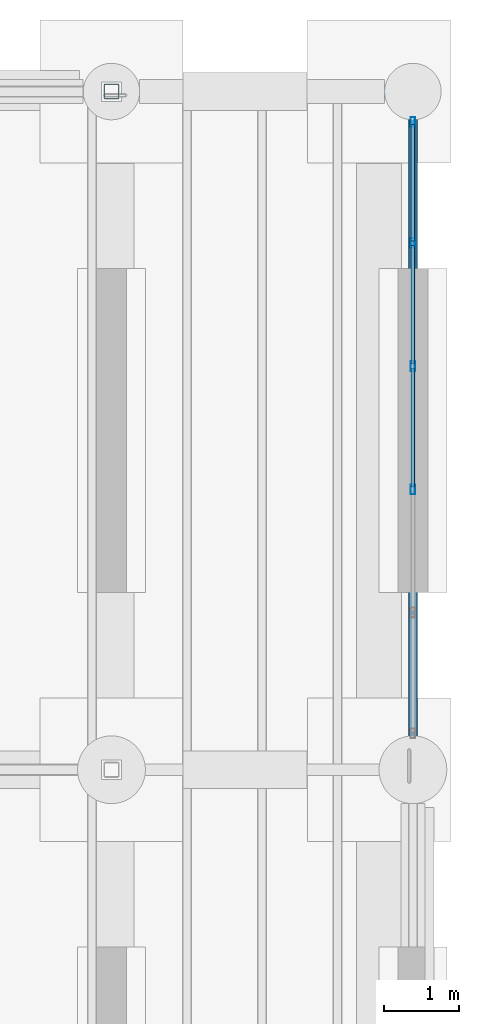
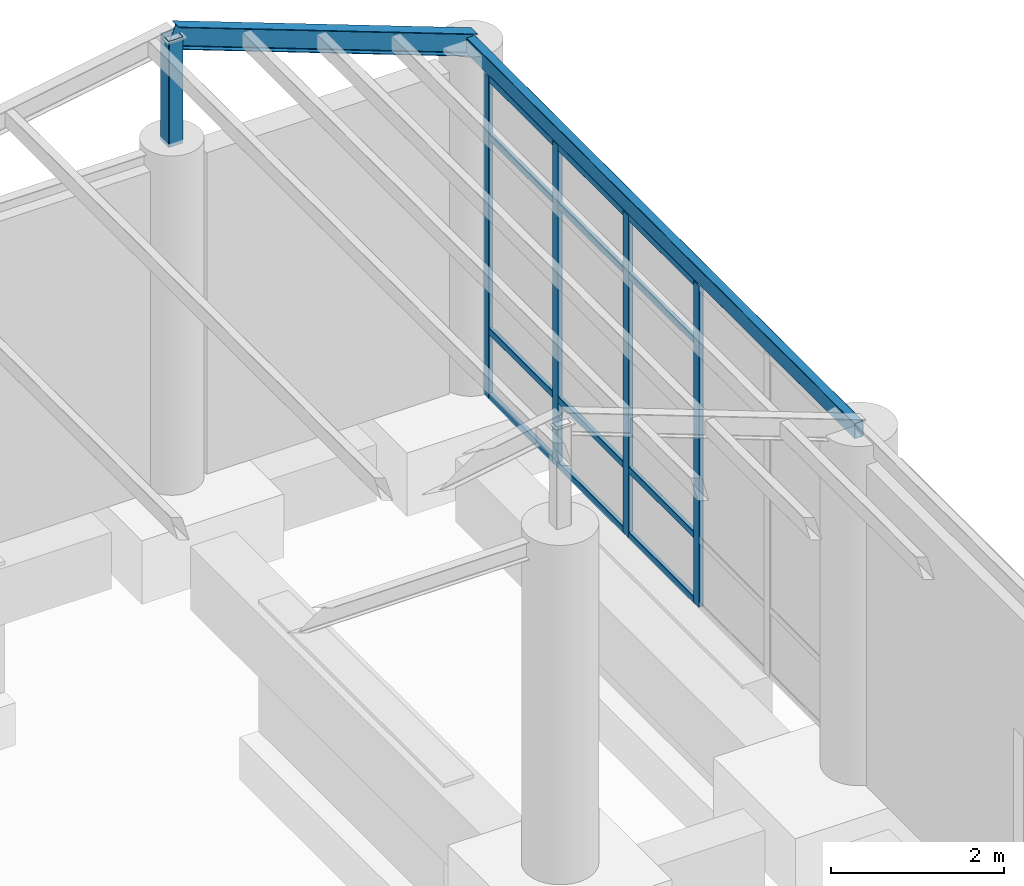
# One storey, part 72 of 111: 19 members, 1 element without a shape of its own.
"""IFC4 building model written with IfcOpenShell, lengths in metres."""

import ifcopenshell
import ifcopenshell.guid

model = None  # the IFC model being written
_history = None  # IfcOwnerHistory: only IFC2X3 demands one
_inside = {}  # id of a spatial element -> (the spatial element, [elements in it])
_under = {}  # id of a project, library or spatial element -> (it, [spatial elements below it])
_declared = {}  # id of a project -> (the project, [libraries it declares])
_typed = {}  # id of a type object -> (the type object, [elements of that type])
_made_of = {}  # id of a material, layer set ... -> (it, [elements and type objects made of it])


def new_model(schema):
    """Start an empty IFC model of exactly this schema.

    Asked for "IFC4X3", IfcOpenShell would pick the latest addendum, in which some entities
    have other attributes; the version numbers below select the first issue.
    IFC2X3 requires an IfcOwnerHistory on every rooted entity: one is made here for all.
    """
    global model, _history
    if schema == "IFC4X3":
        model = ifcopenshell.file(schema_version=(4, 3, 0, 0))
    else:
        model = ifcopenshell.file(schema=schema)
    _inside.clear()
    _under.clear()
    _declared.clear()
    _typed.clear()
    _made_of.clear()
    _history = None
    if model.schema == "IFC2X3":
        org = make("IfcOrganization", Name="unknown")
        user = make(
            "IfcPersonAndOrganization",
            ThePerson=make("IfcPerson", FamilyName="unknown"),
            TheOrganization=org,
        )
        app = make(
            "IfcApplication",
            ApplicationDeveloper=org,
            Version="unknown",
            ApplicationFullName="unknown",
            ApplicationIdentifier="unknown",
        )
        _history = make(
            "IfcOwnerHistory",
            OwningUser=user,
            OwningApplication=app,
            ChangeAction="ADDED",
            CreationDate=0,
        )
    return model


def make(cls, **values):
    """One entity of the class cls with the attributes given. An attribute that is None is left unset."""
    return model.create_entity(
        cls, **{name: value for name, value in values.items() if value is not None}
    )


def rooted(cls, **values):
    """An entity with a GlobalId (a new one), such as an element, a storey or a relation."""
    return make(cls, GlobalId=ifcopenshell.guid.new(), OwnerHistory=_history, **values)


def si_unit(unit_type, name, prefix=None):
    """IfcSIUnit, for example si_unit("LENGTHUNIT", "METRE", prefix="MILLI")."""
    return make("IfcSIUnit", UnitType=unit_type, Prefix=prefix, Name=name)


def assignment(units):
    """IfcUnitAssignment: the units of a project."""
    return None if units is None else make("IfcUnitAssignment", Units=units)


def point(xyz):
    """IfcCartesianPoint."""
    return None if xyz is None else make("IfcCartesianPoint", Coordinates=xyz)


def direction(xyz):
    """IfcDirection."""
    return None if xyz is None else make("IfcDirection", DirectionRatios=xyz)


def frame(location, z_axis=None, x_axis=None):
    """IfcAxis2Placement3D, a coordinate frame: its origin and axes. An axis left out is left unset."""
    return make(
        "IfcAxis2Placement3D",
        Location=point(location),
        Axis=direction(z_axis),
        RefDirection=direction(x_axis),
    )


def frame_2d(location, x_axis=None):
    """IfcAxis2Placement2D, a coordinate frame in the plane: its origin and x axis."""
    return make(
        "IfcAxis2Placement2D", Location=point(location), RefDirection=direction(x_axis)
    )


def origin():
    """The frame at (0, 0, 0) with its axes left unset."""
    return frame((0.0, 0.0, 0.0))


def origin_2d():
    """The frame at (0, 0) in the plane with its x axis left unset."""
    return frame_2d((0.0, 0.0))


def place(relative_to, where):
    """IfcLocalPlacement: puts the frame where relative to a parent placement (None: the world)."""
    return make(
        "IfcLocalPlacement", PlacementRelTo=relative_to, RelativePlacement=where
    )


def context(
    kind, dimensions, precision=None, world=None, true_north=None, identifier=None
):
    """IfcGeometricRepresentationContext, for example the 3D "Model" context."""
    return make(
        "IfcGeometricRepresentationContext",
        ContextIdentifier=identifier,
        ContextType=kind,
        CoordinateSpaceDimension=dimensions,
        Precision=precision,
        WorldCoordinateSystem=world,
        TrueNorth=true_north,
    )


def subcontext(parent, identifier, kind, view, scale=None):
    """IfcGeometricRepresentationSubContext, for example "Body" below "Model"."""
    return make(
        "IfcGeometricRepresentationSubContext",
        ContextIdentifier=identifier,
        ContextType=kind,
        ParentContext=parent,
        TargetScale=scale,
        TargetView=view,
    )


def project(units=None, contexts=None):
    """IfcProject with its units and contexts."""
    return rooted(
        "IfcProject",
        Name="project",
        RepresentationContexts=contexts,
        UnitsInContext=assignment(units),
    )


def spatial(cls, under=None, at=None, **own):
    """A site, building, storey or space (cls), placed at a placement, below another one or the project."""
    s = rooted(cls, ObjectPlacement=at, **own)
    if under is not None:
        _under.setdefault(under.id(), (under, []))[1].append(s)
    return s


def profile(cls, at=None, kind="AREA", **sizes):
    """A parametric profile (cls). Its sizes go by their IFC names, for example OverallWidth=200.0."""
    return make(cls, ProfileType=kind, Position=at, **sizes)


def hollow_rectangle(**sizes):
    """IfcRectangleHollowProfileDef."""
    return profile("IfcRectangleHollowProfileDef", **sizes)


def i_section(**sizes):
    """IfcIShapeProfileDef."""
    return profile("IfcIShapeProfileDef", **sizes)


def extrude(swept, where, along, depth):
    """IfcExtrudedAreaSolid: the profile swept, set in the frame where, extruded along a direction by depth."""
    return make(
        "IfcExtrudedAreaSolid",
        SweptArea=swept,
        Position=where,
        ExtrudedDirection=direction(along),
        Depth=depth,
    )


def shape(context_of_items, identifier, shape_type, items):
    """IfcShapeRepresentation: the items that make up one representation, for example the "Body"."""
    return make(
        "IfcShapeRepresentation",
        ContextOfItems=context_of_items,
        RepresentationIdentifier=identifier,
        RepresentationType=shape_type,
        Items=items,
    )


def material(Name=None, Category=None):
    """IfcMaterial."""
    return make("IfcMaterial", Name=Name, Category=Category)


def material_profile(
    of_material, cross_section, Name=None, Category=None, Priority=None
):
    """IfcMaterialProfile: a cross section and its material."""
    return make(
        "IfcMaterialProfile",
        Name=Name,
        Material=of_material,
        Profile=cross_section,
        Priority=Priority,
        Category=Category,
    )


def profile_set(profiles, Name=None, composite=None):
    """IfcMaterialProfileSet."""
    return make(
        "IfcMaterialProfileSet",
        Name=Name,
        MaterialProfiles=profiles,
        CompositeProfile=composite,
    )


def made_of(thing, what):
    """Note that an element or type object is made of a material, layer set ...; save() writes the relation."""
    if what is not None:
        _made_of.setdefault(what.id(), (what, []))[1].append(thing)
    return thing


def type_object(cls, material=None, **own):
    """A type object (cls), such as IfcWallType, which elements share."""
    return made_of(rooted(cls, **own), material)


def element(
    cls,
    number,
    at=None,
    inside=None,
    cuts=None,
    type_object=None,
    material=None,
    context=None,
    identifier="Body",
    shape_type=None,
    held_by="IfcProductDefinitionShape",
    body=None,
    shapes=None,
    **own,
):
    """One element of the class cls, such as IfcWall. Its Tag is "e" and its number.

    at: its placement. inside: the storey or other place that contains it. cuts: it is an
    opening in that element (IfcRelVoidsElement). A single representation is given by context,
    identifier, shape_type and body (its items); several are given by shapes. held_by: the class
    of the entity that holds the representations. save() writes the other relations.
    """
    e = rooted(cls, Tag="e%d" % number, ObjectPlacement=at, **own)
    if body is not None:
        shapes = [shape(context, identifier, shape_type, body)]
    if shapes is not None:
        e.Representation = make(held_by, Representations=shapes)
    if inside is not None:
        _inside.setdefault(inside.id(), (inside, []))[1].append(e)
    if cuts is not None:
        rooted(
            "IfcRelVoidsElement", RelatingBuildingElement=cuts, RelatedOpeningElement=e
        )
    if type_object is not None:
        _typed.setdefault(type_object.id(), (type_object, []))[1].append(e)
    return made_of(e, material)


def aggregate(whole, parts):
    """IfcRelAggregates: a whole, such as a stair, and the parts it consists of."""
    return rooted("IfcRelAggregates", RelatingObject=whole, RelatedObjects=parts)


def save(model, path):
    """Write the relations noted so far, then the file.

    IfcRelAggregates (storeys below a building ...), IfcRelContainedInSpatialStructure (elements
    in a storey), IfcRelDefinesByType, IfcRelAssociatesMaterial and IfcRelDeclares: one each for
    every whole, place, type object, material and project.
    """
    for whole, parts in _under.values():
        aggregate(whole, parts)
    for where, things in _inside.values():
        rooted(
            "IfcRelContainedInSpatialStructure",
            RelatedElements=things,
            RelatingStructure=where,
        )
    for kind, things in _typed.values():
        rooted("IfcRelDefinesByType", RelatedObjects=things, RelatingType=kind)
    for what, things in _made_of.values():
        rooted("IfcRelAssociatesMaterial", RelatedObjects=things, RelatingMaterial=what)
    for by, libraries in _declared.values():
        rooted("IfcRelDeclares", RelatingContext=by, RelatedDefinitions=libraries)
    model.write(path)


model = new_model("IFC4")

# Units and contexts
model_context = context("Model", 3, precision=1e-05, world=origin(), true_north=direction((0.0, 1.0)))
body_context = subcontext(model_context, "Body", "Model", "MODEL_VIEW")
ifc_project = project(units=[si_unit("LENGTHUNIT", "METRE"), si_unit("AREAUNIT", "SQUARE_METRE"), si_unit("VOLUMEUNIT", "CUBIC_METRE"), si_unit("PLANEANGLEUNIT", "RADIAN"), si_unit("MASSUNIT", "GRAM", prefix="KILO")], contexts=[model_context])

# Site, building, storey
site_placement = place(None, origin())
site = spatial("IfcSite", under=ifc_project, at=site_placement, CompositionType="ELEMENT")
building_placement = place(site_placement, origin())
building = spatial("IfcBuilding", under=site, at=building_placement, Name="Canglan Escarpment Cableway Terminal", CompositionType="ELEMENT")
storey_placement = place(building_placement, frame((0.0, 0.0, 4.800048828125)))
storey = spatial("IfcBuildingStorey", under=building, at=storey_placement, Name="L01", CompositionType="ELEMENT", Elevation=4.800048828125)

# Curtain wall, members
ifc_material_1 = material(Name="Anodized bronze aluminium and Low-E double glazing", Category="aluminium")
curtain_wall_type = type_object("IfcCurtainWallType", Name="CW-BAY-8175x4550", PredefinedType="NOTDEFINED", material=ifc_material_1)
curtain_wall_placement = place(storey_placement, origin())
curtain_wall = element("IfcCurtainWall", 1, at=curtain_wall_placement, inside=storey, type_object=curtain_wall_type, Name="Classical bay-between-piers glazed curtain wall CW-41", PredefinedType="NOTDEFINED")
ifc_material_2 = material(Name="Thermally broken anodized aluminium 6063-T6", Category="aluminium")
ifc_material_profile_1 = material_profile(ifc_material_2, hollow_rectangle(XDim=0.06005859375, YDim=0.1298828125, WallThickness=0.0029296875, InnerFilletRadius=0.0029296875, OuterFilletRadius=0.006103515625, at=origin_2d()), Name="ALU-MULL 60x130x3")
ifc_profile_set_1 = profile_set([ifc_material_profile_1], Name="Thermally broken anodized aluminium 6063-T6")
member_type_1 = type_object("IfcMemberType", Name="CWM-01", PredefinedType="MULLION", material=ifc_profile_set_1)
member_1_placement = place(storey_placement, frame((180.0, 118.719970703125, 0.0), z_axis=(0.0, 0.0, 1.0), x_axis=(-1.0, 0.0, 0.0)))
member_1 = element("IfcMember", 2, at=member_1_placement, type_object=member_type_1, Name="CW-41 mullion 3", PredefinedType="MULLION", context=body_context, shape_type="SweptSolid", body=[
    extrude(hollow_rectangle(XDim=0.06005859375, YDim=0.1298828125, WallThickness=0.0029296875, InnerFilletRadius=0.0029296875, OuterFilletRadius=0.006103515625, at=origin_2d()), origin(), (0.0, 0.0, 1.0), 4.550048828125),
])
member_2_placement = place(storey_placement, frame((180.0, 120.35498046875, 0.0), z_axis=(0.0, 0.0, 1.0), x_axis=(-1.0, 0.0, 0.0)))
member_2 = element("IfcMember", 3, at=member_2_placement, type_object=member_type_1, Name="CW-41 mullion 4", PredefinedType="MULLION", context=body_context, shape_type="SweptSolid", body=[
    extrude(hollow_rectangle(XDim=0.06005859375, YDim=0.1298828125, WallThickness=0.0029296875, InnerFilletRadius=0.0029296875, OuterFilletRadius=0.006103515625, at=origin_2d()), origin(), (0.0, 0.0, 1.0), 4.550048828125),
])
member_3_placement = place(storey_placement, frame((180.0, 121.989990234375, 0.0), z_axis=(0.0, 0.0, 1.0), x_axis=(-1.0, 0.0, 0.0)))
member_3 = element("IfcMember", 4, at=member_3_placement, type_object=member_type_1, Name="CW-41 mullion 5", PredefinedType="MULLION", context=body_context, shape_type="SweptSolid", body=[
    extrude(hollow_rectangle(XDim=0.06005859375, YDim=0.1298828125, WallThickness=0.0029296875, InnerFilletRadius=0.0029296875, OuterFilletRadius=0.006103515625, at=origin_2d()), origin(), (0.0, 0.0, 1.0), 4.550048828125),
])
member_4_placement = place(storey_placement, frame((180.0, 123.594970703125, 0.0), z_axis=(0.0, 0.0, 1.0), x_axis=(-1.0, 0.0, 0.0)))
member_4 = element("IfcMember", 5, at=member_4_placement, type_object=member_type_1, Name="CW-41 mullion 6", PredefinedType="MULLION", context=body_context, shape_type="SweptSolid", body=[
    extrude(hollow_rectangle(XDim=0.06005859375, YDim=0.1298828125, WallThickness=0.0029296875, InnerFilletRadius=0.0029296875, OuterFilletRadius=0.006103515625, at=origin_2d()), origin(), (0.0, 0.0, 1.0), 4.550048828125),
])
ifc_material_profile_2 = material_profile(ifc_material_2, hollow_rectangle(XDim=0.054931640625, YDim=0.094970703125, WallThickness=0.0029296875, InnerFilletRadius=0.0029296875, OuterFilletRadius=0.006103515625, at=origin_2d()), Name="ALU-TRAN 55x95x3")
ifc_profile_set_2 = profile_set([ifc_material_profile_2], Name="Thermally broken anodized aluminium 6063-T6")
member_type_2 = type_object("IfcMemberType", Name="CWT-01", PredefinedType="USERDEFINED", material=ifc_profile_set_2)
member_5_placement = place(storey_placement, frame((180.0, 118.75, 0.02734375), z_axis=(0.0, 1.0, 0.0), x_axis=(-1.0, 0.0, 0.0)))
member_5 = element("IfcMember", 6, at=member_5_placement, type_object=member_type_2, Name="CW-41 transom 3.1", ObjectType="TRANSOM", PredefinedType="USERDEFINED", context=body_context, shape_type="SweptSolid", body=[
    extrude(hollow_rectangle(XDim=0.054931640625, YDim=0.094970703125, WallThickness=0.0029296875, InnerFilletRadius=0.0029296875, OuterFilletRadius=0.006103515625, at=origin_2d()), origin(), (0.0, 0.0, 1.0), 1.574951171875),
])
member_6_placement = place(storey_placement, frame((180.0, 118.75, 0.949951171875), z_axis=(0.0, 1.0, 0.0), x_axis=(-1.0, 0.0, 0.0)))
member_6 = element("IfcMember", 7, at=member_6_placement, type_object=member_type_2, Name="CW-41 transom 3.2", ObjectType="TRANSOM", PredefinedType="USERDEFINED", context=body_context, shape_type="SweptSolid", body=[
    extrude(hollow_rectangle(XDim=0.054931640625, YDim=0.094970703125, WallThickness=0.0029296875, InnerFilletRadius=0.0029296875, OuterFilletRadius=0.006103515625, at=origin_2d()), origin(), (0.0, 0.0, 1.0), 1.574951171875),
])
member_7_placement = place(storey_placement, frame((180.0, 118.75, 3.699951171875), z_axis=(0.0, 1.0, 0.0), x_axis=(-1.0, 0.0, 0.0)))
member_7 = element("IfcMember", 8, at=member_7_placement, type_object=member_type_2, Name="CW-41 transom 3.3", ObjectType="TRANSOM", PredefinedType="USERDEFINED", context=body_context, shape_type="SweptSolid", body=[
    extrude(hollow_rectangle(XDim=0.054931640625, YDim=0.094970703125, WallThickness=0.0029296875, InnerFilletRadius=0.0029296875, OuterFilletRadius=0.006103515625, at=origin_2d()), origin(), (0.0, 0.0, 1.0), 1.574951171875),
])
member_8_placement = place(storey_placement, frame((180.0, 118.75, 4.5224609375), z_axis=(0.0, 1.0, 0.0), x_axis=(-1.0, 0.0, 0.0)))
member_8 = element("IfcMember", 9, at=member_8_placement, type_object=member_type_2, Name="CW-41 transom 3.4", ObjectType="TRANSOM", PredefinedType="USERDEFINED", context=body_context, shape_type="SweptSolid", body=[
    extrude(hollow_rectangle(XDim=0.054931640625, YDim=0.094970703125, WallThickness=0.0029296875, InnerFilletRadius=0.0029296875, OuterFilletRadius=0.006103515625, at=origin_2d()), origin(), (0.0, 0.0, 1.0), 1.574951171875),
])
member_9_placement = place(storey_placement, frame((180.0, 120.385009765625, 0.02734375), z_axis=(0.0, 1.0, 0.0), x_axis=(-1.0, 0.0, 0.0)))
member_9 = element("IfcMember", 10, at=member_9_placement, type_object=member_type_2, Name="CW-41 transom 4.1", ObjectType="TRANSOM", PredefinedType="USERDEFINED", context=body_context, shape_type="SweptSolid", body=[
    extrude(hollow_rectangle(XDim=0.054931640625, YDim=0.094970703125, WallThickness=0.0029296875, InnerFilletRadius=0.0029296875, OuterFilletRadius=0.006103515625, at=origin_2d()), origin(), (0.0, 0.0, 1.0), 1.574951171875),
])
member_10_placement = place(storey_placement, frame((180.0, 120.385009765625, 0.949951171875), z_axis=(0.0, 1.0, 0.0), x_axis=(-1.0, 0.0, 0.0)))
member_10 = element("IfcMember", 11, at=member_10_placement, type_object=member_type_2, Name="CW-41 transom 4.2", ObjectType="TRANSOM", PredefinedType="USERDEFINED", context=body_context, shape_type="SweptSolid", body=[
    extrude(hollow_rectangle(XDim=0.054931640625, YDim=0.094970703125, WallThickness=0.0029296875, InnerFilletRadius=0.0029296875, OuterFilletRadius=0.006103515625, at=origin_2d()), origin(), (0.0, 0.0, 1.0), 1.574951171875),
])
member_11_placement = place(storey_placement, frame((180.0, 120.385009765625, 3.699951171875), z_axis=(0.0, 1.0, 0.0), x_axis=(-1.0, 0.0, 0.0)))
member_11 = element("IfcMember", 12, at=member_11_placement, type_object=member_type_2, Name="CW-41 transom 4.3", ObjectType="TRANSOM", PredefinedType="USERDEFINED", context=body_context, shape_type="SweptSolid", body=[
    extrude(hollow_rectangle(XDim=0.054931640625, YDim=0.094970703125, WallThickness=0.0029296875, InnerFilletRadius=0.0029296875, OuterFilletRadius=0.006103515625, at=origin_2d()), origin(), (0.0, 0.0, 1.0), 1.574951171875),
])
member_12_placement = place(storey_placement, frame((180.0, 120.385009765625, 4.5224609375), z_axis=(0.0, 1.0, 0.0), x_axis=(-1.0, 0.0, 0.0)))
member_12 = element("IfcMember", 13, at=member_12_placement, type_object=member_type_2, Name="CW-41 transom 4.4", ObjectType="TRANSOM", PredefinedType="USERDEFINED", context=body_context, shape_type="SweptSolid", body=[
    extrude(hollow_rectangle(XDim=0.054931640625, YDim=0.094970703125, WallThickness=0.0029296875, InnerFilletRadius=0.0029296875, OuterFilletRadius=0.006103515625, at=origin_2d()), origin(), (0.0, 0.0, 1.0), 1.574951171875),
])
member_13_placement = place(storey_placement, frame((180.0, 122.02001953125, 0.02734375), z_axis=(0.0, 1.0, 0.0), x_axis=(-1.0, 0.0, 0.0)))
member_13 = element("IfcMember", 14, at=member_13_placement, type_object=member_type_2, Name="CW-41 transom 5.1", ObjectType="TRANSOM", PredefinedType="USERDEFINED", context=body_context, shape_type="SweptSolid", body=[
    extrude(hollow_rectangle(XDim=0.054931640625, YDim=0.094970703125, WallThickness=0.0029296875, InnerFilletRadius=0.0029296875, OuterFilletRadius=0.006103515625, at=origin_2d()), origin(), (0.0, 0.0, 1.0), 1.544921875),
])
member_14_placement = place(storey_placement, frame((180.0, 122.02001953125, 0.949951171875), z_axis=(0.0, 1.0, 0.0), x_axis=(-1.0, 0.0, 0.0)))
member_14 = element("IfcMember", 15, at=member_14_placement, type_object=member_type_2, Name="CW-41 transom 5.2", ObjectType="TRANSOM", PredefinedType="USERDEFINED", context=body_context, shape_type="SweptSolid", body=[
    extrude(hollow_rectangle(XDim=0.054931640625, YDim=0.094970703125, WallThickness=0.0029296875, InnerFilletRadius=0.0029296875, OuterFilletRadius=0.006103515625, at=origin_2d()), origin(), (0.0, 0.0, 1.0), 1.544921875),
])
member_15_placement = place(storey_placement, frame((180.0, 122.02001953125, 3.699951171875), z_axis=(0.0, 1.0, 0.0), x_axis=(-1.0, 0.0, 0.0)))
member_15 = element("IfcMember", 16, at=member_15_placement, type_object=member_type_2, Name="CW-41 transom 5.3", ObjectType="TRANSOM", PredefinedType="USERDEFINED", context=body_context, shape_type="SweptSolid", body=[
    extrude(hollow_rectangle(XDim=0.054931640625, YDim=0.094970703125, WallThickness=0.0029296875, InnerFilletRadius=0.0029296875, OuterFilletRadius=0.006103515625, at=origin_2d()), origin(), (0.0, 0.0, 1.0), 1.544921875),
])
member_16_placement = place(storey_placement, frame((180.0, 122.02001953125, 4.5224609375), z_axis=(0.0, 1.0, 0.0), x_axis=(-1.0, 0.0, 0.0)))
member_16 = element("IfcMember", 17, at=member_16_placement, type_object=member_type_2, Name="CW-41 transom 5.4", ObjectType="TRANSOM", PredefinedType="USERDEFINED", context=body_context, shape_type="SweptSolid", body=[
    extrude(hollow_rectangle(XDim=0.054931640625, YDim=0.094970703125, WallThickness=0.0029296875, InnerFilletRadius=0.0029296875, OuterFilletRadius=0.006103515625, at=origin_2d()), origin(), (0.0, 0.0, 1.0), 1.544921875),
])
aggregate(curtain_wall, [member_1, member_2, member_3, member_4, member_5, member_6, member_7, member_8, member_9, member_10, member_11, member_12, member_13, member_14, member_15, member_16])

# Members
ifc_material_3 = material(Name="Steel Q355B", Category="steel")
ifc_material_profile_3 = material_profile(ifc_material_3, i_section(OverallWidth=0.14990234375, OverallDepth=0.300048828125, WebThickness=0.006591796875, FlangeThickness=0.009033203125, FilletRadius=0.012939453125, at=origin_2d()), Name="HN 300x150x6.5x9")
ifc_profile_set_3 = profile_set([ifc_material_profile_3], Name="Steel Q355B")
member_type_3 = type_object("IfcMemberType", Name="MB-COL-RAFT-HN300", PredefinedType="RAFTER", material=ifc_profile_set_3)
member_17_placement = place(storey_placement, frame((176.0, 124.0, 6.25), z_axis=(0.936329177569, 0.0, -0.351123441588), x_axis=(0.0, 1.0, 0.0)))
element("IfcMember", 18, at=member_17_placement, inside=storey, type_object=member_type_3, Name="Colonnade pitched rafter RF-R01", PredefinedType="RAFTER", context=body_context, shape_type="SweptSolid", body=[
    extrude(i_section(OverallWidth=0.14990234375, OverallDepth=0.300048828125, WebThickness=0.006591796875, FlangeThickness=0.009033203125, FilletRadius=0.012939453125, at=origin_2d()), origin(), (0.0, 0.0, 1.0), 4.27197265625),
])
ifc_material_profile_4 = material_profile(ifc_material_3, hollow_rectangle(XDim=0.1201171875, YDim=0.219970703125, WallThickness=0.006103515625, InnerFilletRadius=0.006103515625, OuterFilletRadius=0.011962890625, at=origin_2d()), Name="RHS 220x120x6")
ifc_profile_set_4 = profile_set([ifc_material_profile_4], Name="Steel Q355B")
member_type_4 = type_object("IfcMemberType", Name="MB-PAV-PUR-RHS220", PredefinedType="PURLIN", material=ifc_profile_set_4)
member_18_placement = place(storey_placement, frame((180.0, 115.0, 4.719970703125), z_axis=(0.0, 1.0, 0.0), x_axis=(-1.0, 0.0, 0.0)))
element("IfcMember", 19, at=member_18_placement, inside=storey, type_object=member_type_4, Name="Colonnade canopy purlin PR-03", PredefinedType="PURLIN", context=body_context, shape_type="SweptSolid", body=[
    extrude(hollow_rectangle(XDim=0.1201171875, YDim=0.219970703125, WallThickness=0.006103515625, InnerFilletRadius=0.006103515625, OuterFilletRadius=0.011962890625, at=origin_2d()), origin(), (0.0, 0.0, 1.0), 9.0),
])
ifc_material_profile_5 = material_profile(ifc_material_3, hollow_rectangle(XDim=0.199951171875, YDim=0.199951171875, WallThickness=0.008056640625, InnerFilletRadius=0.008056640625, OuterFilletRadius=0.01611328125, at=origin_2d()), Name="SHS 200x200x8")
ifc_profile_set_5 = profile_set([ifc_material_profile_5], Name="Steel Q355B")
member_type_5 = type_object("IfcMemberType", Name="MB-PRATT-WEB-SHS200", PredefinedType="BRACE", material=ifc_profile_set_5)
member_19_placement = place(storey_placement, frame((176.0, 124.0, 4.75), z_axis=(0.0, 0.0, 1.0), x_axis=(1.0, 0.0, 0.0)))
element("IfcMember", 20, at=member_19_placement, inside=storey, type_object=member_type_5, Name="Colonnade ridge ROOF TRUSS strut PT-WB1", PredefinedType="BRACE", context=body_context, shape_type="SweptSolid", body=[
    extrude(hollow_rectangle(XDim=0.199951171875, YDim=0.199951171875, WallThickness=0.008056640625, InnerFilletRadius=0.008056640625, OuterFilletRadius=0.01611328125, at=origin_2d()), origin(), (0.0, 0.0, 1.0), 1.5),
])

save(model, "model.ifc")
